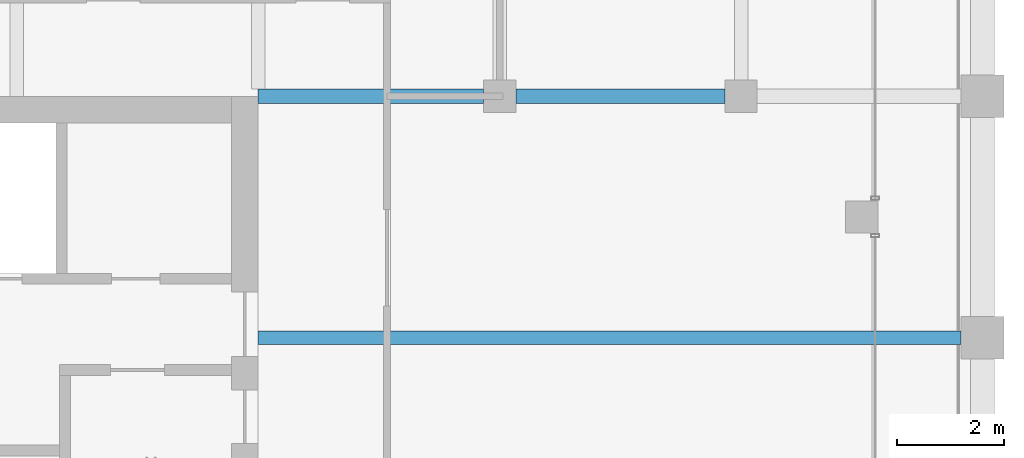
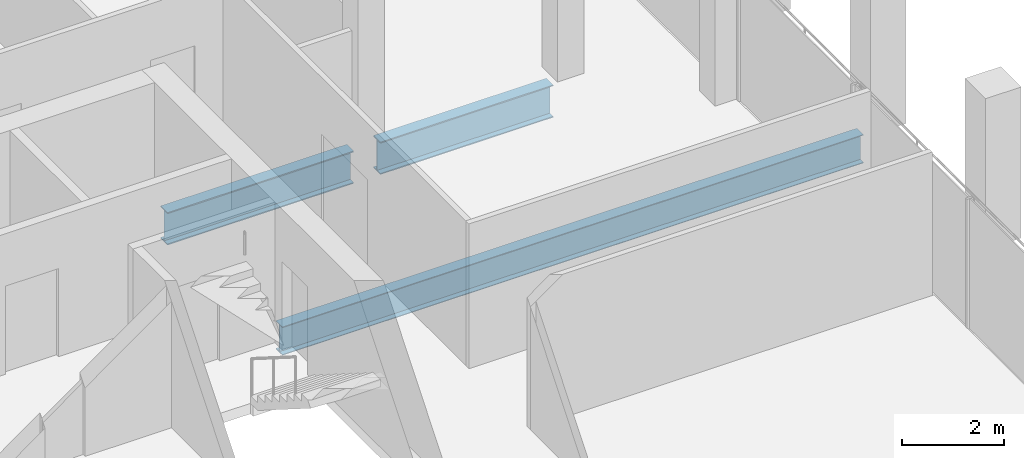
# One storey, part 18 of 30: 3 beams.
"""IFC4 building model written with IfcOpenShell, lengths in metres."""

from ifc_helpers import new_model, si_unit, direction, frame, origin, origin_2d, place, context, subcontext, project, spatial, i_section, extrude, material, material_profile, profile_set, type_object, element, save


model = new_model("IFC4")

# Units and contexts
model_context = context("Model", 3, precision=1e-05, world=origin(), true_north=direction((0.0, 1.0)))
body_context = subcontext(model_context, "Body", "Model", "MODEL_VIEW")
ifc_project = project(units=[si_unit("LENGTHUNIT", "METRE"), si_unit("AREAUNIT", "SQUARE_METRE"), si_unit("VOLUMEUNIT", "CUBIC_METRE"), si_unit("PLANEANGLEUNIT", "RADIAN"), si_unit("MASSUNIT", "GRAM", prefix="KILO")], contexts=[model_context])

# Site, building, storey
site_placement = place(None, origin())
site = spatial("IfcSite", under=ifc_project, at=site_placement, CompositionType="ELEMENT")
building_placement = place(site_placement, origin())
building = spatial("IfcBuilding", under=site, at=building_placement, Name="Altepetl Exchange Towers", CompositionType="ELEMENT")
storey_placement = place(building_placement, frame((0.0, 0.0, 217.199951171875)))
storey = spatial("IfcBuildingStorey", under=building, at=storey_placement, Name="L55", CompositionType="ELEMENT", Elevation=217.199951171875)

# Beams
ifc_material = material(Name="Steel S355", Category="steel")
ifc_material_profile_1 = material_profile(ifc_material, i_section(OverallWidth=0.2529296875, OverallDepth=0.677978515625, WebThickness=0.01171875, FlangeThickness=0.016357421875, at=origin_2d()), Name="W27X84")
ifc_profile_set_1 = profile_set([ifc_material_profile_1], Name="Steel S355")
beam_type_1 = type_object("IfcBeamType", Name="Floor beam W27X84", PredefinedType="BEAM", material=ifc_profile_set_1)
beam_1_placement = place(storey_placement, frame((58.5, 54.0, -0.489013671875), z_axis=(1.0, 0.0, 0.0), x_axis=(0.0, 1.0, 0.0)))
element("IfcBeam", 1, at=beam_1_placement, inside=storey, type_object=beam_type_1, Name="bm:A:L55:011", PredefinedType="BEAM", context=body_context, shape_type="SweptSolid", body=[
    extrude(i_section(OverallWidth=0.2529296875, OverallDepth=0.677978515625, WebThickness=0.01171875, FlangeThickness=0.016357421875, at=origin_2d()), origin(), (0.0, 0.0, 1.0), 13.10009765625),
])
ifc_material_profile_2 = material_profile(ifc_material, i_section(OverallWidth=0.26806640625, OverallDepth=0.77392578125, WebThickness=0.015380859375, FlangeThickness=0.025390625, at=origin_2d()), Name="W30X132")
ifc_profile_set_2 = profile_set([ifc_material_profile_2], Name="Steel S355")
beam_type_2 = type_object("IfcBeamType", Name="Girder W30X132", PredefinedType="BEAM", material=ifc_profile_set_2)
beam_2_placement = place(storey_placement, frame((58.5, 58.5, -0.536865234375), z_axis=(1.0, 0.0, 0.0), x_axis=(0.0, 1.0, 0.0)))
element("IfcBeam", 2, at=beam_2_placement, inside=storey, type_object=beam_type_2, Name="gd:A:L55:000", PredefinedType="BEAM", context=body_context, shape_type="SweptSolid", body=[
    extrude(i_section(OverallWidth=0.26806640625, OverallDepth=0.77392578125, WebThickness=0.015380859375, FlangeThickness=0.025390625, at=origin_2d()), origin(), (0.0, 0.0, 1.0), 4.199951171875),
])
beam_3_placement = place(storey_placement, frame((63.300048828125, 58.5, -0.536865234375), z_axis=(1.0, 0.0, 0.0), x_axis=(0.0, 1.0, 0.0)))
element("IfcBeam", 3, at=beam_3_placement, inside=storey, type_object=beam_type_2, Name="gd:A:L55:001", PredefinedType="BEAM", context=body_context, shape_type="SweptSolid", body=[
    extrude(i_section(OverallWidth=0.26806640625, OverallDepth=0.77392578125, WebThickness=0.015380859375, FlangeThickness=0.025390625, at=origin_2d()), origin(), (0.0, 0.0, 1.0), 3.89990234375),
])

save(model, "model.ifc")
